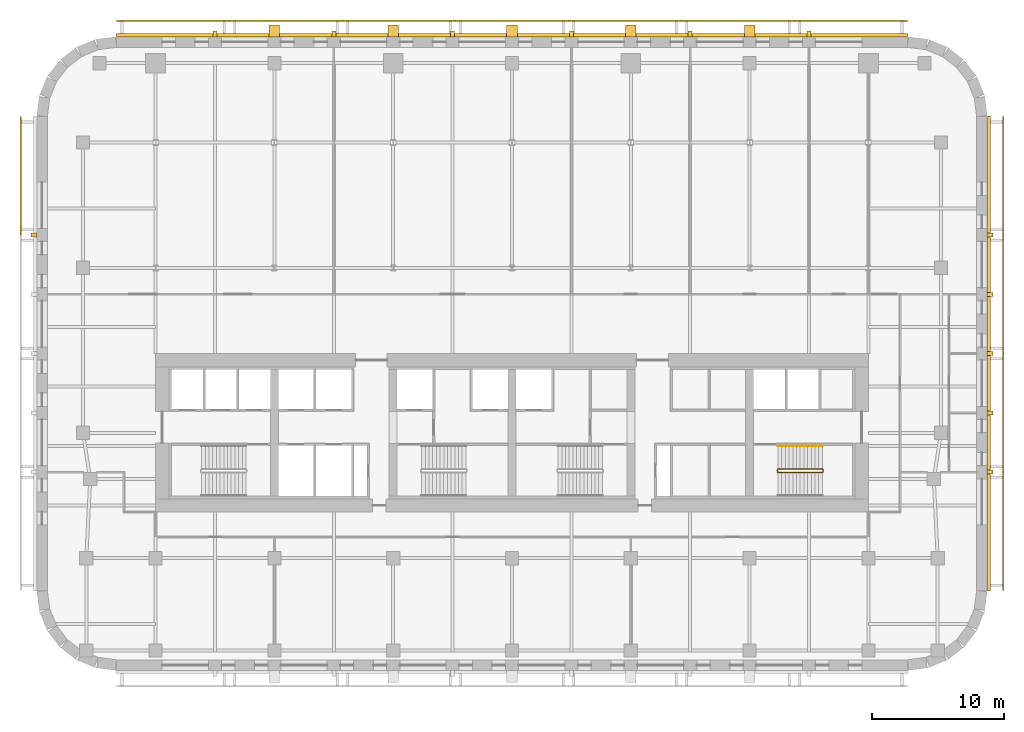
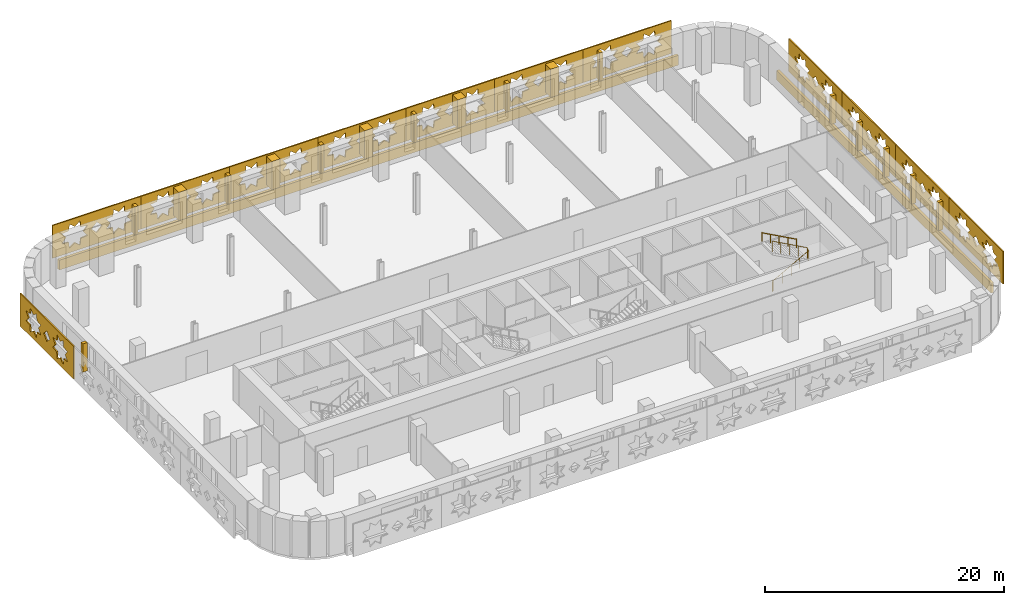
# One storey, part 10 of 10: 31 coverings, 2 railings.
"""IFC4 building model written with IfcOpenShell, lengths in metres."""

from ifc_helpers import new_model, si_unit, direction, frame, origin, origin_2d, place, context, subcontext, project, spatial, polyline, circle, outline, extrude, material, layer, layer_set, type_object, element, save


model = new_model("IFC4")

# Units and contexts
model_context = context("Model", 3, precision=1e-05, world=origin(), true_north=direction((0.0, 1.0)))
body_context = subcontext(model_context, "Body", "Model", "MODEL_VIEW")
ifc_project = project(units=[si_unit("LENGTHUNIT", "METRE"), si_unit("AREAUNIT", "SQUARE_METRE"), si_unit("VOLUMEUNIT", "CUBIC_METRE"), si_unit("PLANEANGLEUNIT", "RADIAN"), si_unit("MASSUNIT", "GRAM", prefix="KILO")], contexts=[model_context])

# Site, building, storey
site_placement = place(None, origin())
site = spatial("IfcSite", under=ifc_project, at=site_placement, CompositionType="ELEMENT")
building_placement = place(site_placement, origin())
building = spatial("IfcBuilding", under=site, at=building_placement, Name="Zellij Exchange Tower", CompositionType="ELEMENT")
storey_placement = place(building_placement, frame((0.0, 0.0, 152.5)))
storey = spatial("IfcBuildingStorey", under=building, at=storey_placement, Name="L34", CompositionType="ELEMENT", Elevation=152.5)

# Railings
ifc_material_1 = material(Name="Stainless steel", Category="steel")
railing_type_1 = type_object("IfcRailingType", Name="CORE-RG stair guard", PredefinedType="GUARDRAIL", material=ifc_material_1)
railing_1_placement = place(storey_placement, frame((20.10009765625, -10.949951171875, 0.0)))
element("IfcRailing", 1, at=railing_1_placement, inside=storey, type_object=railing_type_1, Name="ST4 stair guard L34", PredefinedType="GUARDRAIL", context=body_context, shape_type="SweptSolid", body=[
    extrude(circle(Radius=0.02392578125, at=origin_2d()), frame((0.0, 0.0, 1.076171875), z_axis=(0.0, 1.0, 0.0), x_axis=(-1.0, 0.0, 0.0)), (0.0, 0.0, 1.0), 0.14990234375),
    extrude(circle(Radius=0.02392578125, at=origin_2d()), frame((0.0, 0.14990234375, 1.076171875), z_axis=(0.193691321961, -0.777613689637, 0.598164376644), x_axis=(0.970351222016, 0.241699205484, 0.0)), (0.0, 0.0, 1.0), 0.257080078125),
    extrude(circle(Radius=0.02392578125, at=origin_2d()), frame((0.0498046875, -0.050048828125, 1.22998046875), z_axis=(0.876421534553, 0.0, 0.481544695509), x_axis=(0.0, 1.0, 0.0)), (0.0, 0.0, 1.0), 3.833984375),
    extrude(circle(Radius=0.02392578125, at=origin_2d()), frame((3.409912109375, -0.050048828125, 3.076171875), z_axis=(0.707106781187, 0.707106781187, 0.0), x_axis=(-0.707106781187, 0.707106781187, 0.0)), (0.0, 0.0, 1.0), 0.07080078125),
    extrude(circle(Radius=0.02392578125, at=origin_2d()), frame((3.4599609375, 0.0, 3.076171875), z_axis=(0.0, 1.0, 0.0), x_axis=(-1.0, 0.0, 0.0)), (0.0, 0.0, 1.0), 0.14990234375),
    extrude(circle(Radius=0.02392578125, at=origin_2d()), frame((3.4599609375, 0.14990234375, 3.076171875), z_axis=(-0.295599637079, 0.295599637079, 0.908428152975), x_axis=(-0.707106781187, -0.707106781187, 0.0)), (0.0, 0.0, 1.0), 0.16943359375),
    extrude(circle(Radius=0.02392578125, at=origin_2d()), frame((3.409912109375, 0.199951171875, 3.22998046875), z_axis=(-0.876421534553, 0.0, 0.481544695509), x_axis=(0.0, -1.0, 0.0)), (0.0, 0.0, 1.0), 3.833984375),
    extrude(circle(Radius=0.02099609375, at=origin_2d()), origin(), (0.0, 0.0, 1.0), 1.052001953125),
    extrude(circle(Radius=0.02099609375, at=origin_2d()), frame((0.0, 0.14990234375, 0.0)), (0.0, 0.0, 1.0), 1.052001953125),
    extrude(circle(Radius=0.02099609375, at=origin_2d()), frame((0.0498046875, -0.050048828125, 0.15380859375)), (0.0, 0.0, 1.0), 1.052001953125),
    extrude(circle(Radius=0.02099609375, at=origin_2d()), frame((0.889892578125, -0.050048828125, 0.615234375)), (0.0, 0.0, 1.0), 1.052001953125),
    extrude(circle(Radius=0.02099609375, at=origin_2d()), frame((1.72998046875, -0.050048828125, 1.076904296875)), (0.0, 0.0, 1.0), 1.052001953125),
    extrude(circle(Radius=0.02099609375, at=origin_2d()), frame((2.56982421875, -0.050048828125, 1.53857421875)), (0.0, 0.0, 1.0), 1.052001953125),
    extrude(circle(Radius=0.02099609375, at=origin_2d()), frame((3.409912109375, -0.050048828125, 2.0)), (0.0, 0.0, 1.0), 1.052001953125),
    extrude(circle(Radius=0.02099609375, at=origin_2d()), frame((3.4599609375, 0.0, 2.0)), (0.0, 0.0, 1.0), 1.052001953125),
    extrude(circle(Radius=0.02099609375, at=origin_2d()), frame((3.4599609375, 0.14990234375, 2.0)), (0.0, 0.0, 1.0), 1.052001953125),
    extrude(circle(Radius=0.02099609375, at=origin_2d()), frame((3.409912109375, 0.199951171875, 2.15380859375)), (0.0, 0.0, 1.0), 1.052001953125),
    extrude(circle(Radius=0.02099609375, at=origin_2d()), frame((2.56982421875, 0.199951171875, 2.615234375)), (0.0, 0.0, 1.0), 1.052001953125),
    extrude(circle(Radius=0.02099609375, at=origin_2d()), frame((1.72998046875, 0.199951171875, 3.076904296875)), (0.0, 0.0, 1.0), 1.052001953125),
    extrude(circle(Radius=0.02099609375, at=origin_2d()), frame((0.889892578125, 0.199951171875, 3.53857421875)), (0.0, 0.0, 1.0), 1.052001953125),
    extrude(circle(Radius=0.02099609375, at=origin_2d()), frame((0.0498046875, 0.199951171875, 4.0)), (0.0, 0.0, 1.0), 1.052001953125),
])
railing_type_2 = type_object("IfcRailingType", Name="CORE-RH stair handrail", PredefinedType="HANDRAIL", material=ifc_material_1)
railing_2_placement = place(storey_placement, frame((23.510009765625, -9.0, 2.15380859375)))
element("IfcRailing", 2, at=railing_2_placement, inside=storey, type_object=railing_type_2, Name="ST4 stair handrail L34", PredefinedType="HANDRAIL", context=body_context, shape_type="SweptSolid", body=[
    extrude(circle(Radius=0.02392578125, at=origin_2d()), frame((0.0, 0.0, 0.8759765625), z_axis=(-0.876421534553, 0.0, 0.481544695509), x_axis=(0.0, -1.0, 0.0)), (0.0, 0.0, 1.0), 3.833984375),
    extrude(circle(Radius=0.02099609375, at=origin_2d()), origin(), (0.0, 0.0, 1.0), 0.851806640625),
    extrude(circle(Radius=0.02099609375, at=origin_2d()), frame((-0.840087890625, 0.0, 0.46142578125)), (0.0, 0.0, 1.0), 0.851806640625),
    extrude(circle(Radius=0.02099609375, at=origin_2d()), frame((-1.68017578125, 0.0, 0.923095703125)), (0.0, 0.0, 1.0), 0.851806640625),
    extrude(circle(Radius=0.02099609375, at=origin_2d()), frame((-2.52001953125, 0.0, 1.384765625)), (0.0, 0.0, 1.0), 0.851806640625),
    extrude(circle(Radius=0.02099609375, at=origin_2d()), frame((-3.360107421875, 0.0, 1.84619140625)), (0.0, 0.0, 1.0), 0.851806640625),
])

# Coverings
ifc_material_2 = material(Name="Limestone cladding", Category="masonry")
covering_type_1 = type_object("IfcCoveringType", Name="ENV-CV5 Stone pier 800x900", PredefinedType="CLADDING", material=ifc_material_2)
covering_1_placement = place(storey_placement, frame((0.0, 0.0, 0.800048828125)))
element("IfcCovering", 3, at=covering_1_placement, inside=storey, type_object=covering_type_1, Name="Stone pier", PredefinedType="CLADDING", context=body_context, shape_type="SweptSolid", body=[
    extrude(outline(polyline([(18.39990234375, 22.0), (17.60009765625, 22.0), (17.60009765625, 22.89990234375), (18.39990234375, 22.89990234375), (18.39990234375, 22.0)])), origin(), (0.0, 0.0, 1.0), 2.89990234375),
])
covering_2_placement = place(storey_placement, frame((0.0, 0.0, 0.800048828125)))
element("IfcCovering", 4, at=covering_2_placement, inside=storey, type_object=covering_type_1, Name="Stone pier", PredefinedType="CLADDING", context=body_context, shape_type="SweptSolid", body=[
    extrude(outline(polyline([(9.39990234375, 22.0), (8.60009765625, 22.0), (8.60009765625, 22.89990234375), (9.39990234375, 22.89990234375), (9.39990234375, 22.0)])), origin(), (0.0, 0.0, 1.0), 2.89990234375),
])
covering_3_placement = place(storey_placement, frame((0.0, 0.0, 0.800048828125)))
element("IfcCovering", 5, at=covering_3_placement, inside=storey, type_object=covering_type_1, Name="Stone pier", PredefinedType="CLADDING", context=body_context, shape_type="SweptSolid", body=[
    extrude(outline(polyline([(0.39990234375, 22.0), (-0.39990234375, 22.0), (-0.39990234375, 22.89990234375), (0.39990234375, 22.89990234375), (0.39990234375, 22.0)])), origin(), (0.0, 0.0, 1.0), 2.89990234375),
])
covering_4_placement = place(storey_placement, frame((0.0, 0.0, 0.800048828125)))
element("IfcCovering", 6, at=covering_4_placement, inside=storey, type_object=covering_type_1, Name="Stone pier", PredefinedType="CLADDING", context=body_context, shape_type="SweptSolid", body=[
    extrude(outline(polyline([(-8.60009765625, 22.0), (-9.39990234375, 22.0), (-9.39990234375, 22.89990234375), (-8.60009765625, 22.89990234375), (-8.60009765625, 22.0)])), origin(), (0.0, 0.0, 1.0), 2.89990234375),
])
covering_5_placement = place(storey_placement, frame((0.0, 0.0, 0.800048828125)))
element("IfcCovering", 7, at=covering_5_placement, inside=storey, type_object=covering_type_1, Name="Stone pier", PredefinedType="CLADDING", context=body_context, shape_type="SweptSolid", body=[
    extrude(outline(polyline([(-17.60009765625, 22.0), (-18.39990234375, 22.0), (-18.39990234375, 22.89990234375), (-17.60009765625, 22.89990234375), (-17.60009765625, 22.0)])), origin(), (0.0, 0.0, 1.0), 2.89990234375),
])
covering_type_2 = type_object("IfcCoveringType", Name="ENV-CV7 Stone pier 300x450", PredefinedType="CLADDING", material=ifc_material_2)
covering_6_placement = place(storey_placement, frame((0.0, 0.0, 0.800048828125)))
element("IfcCovering", 8, at=covering_6_placement, inside=storey, type_object=covering_type_2, Name="Stone pier", PredefinedType="CLADDING", context=body_context, shape_type="SweptSolid", body=[
    extrude(outline(polyline([(36.0, -11.136962890625), (36.0, -10.8369140625), (36.449951171875, -10.8369140625), (36.449951171875, -11.136962890625), (36.0, -11.136962890625)])), origin(), (0.0, 0.0, 1.0), 2.89990234375),
])
covering_7_placement = place(storey_placement, frame((0.0, 0.0, 0.800048828125)))
element("IfcCovering", 9, at=covering_7_placement, inside=storey, type_object=covering_type_2, Name="Stone pier", PredefinedType="CLADDING", context=body_context, shape_type="SweptSolid", body=[
    extrude(outline(polyline([(36.0, -6.6435546875), (36.0, -6.343505859375), (36.449951171875, -6.343505859375), (36.449951171875, -6.6435546875), (36.0, -6.6435546875)])), origin(), (0.0, 0.0, 1.0), 2.89990234375),
])
covering_8_placement = place(storey_placement, frame((0.0, 0.0, 0.800048828125)))
element("IfcCovering", 10, at=covering_8_placement, inside=storey, type_object=covering_type_2, Name="Stone pier", PredefinedType="CLADDING", context=body_context, shape_type="SweptSolid", body=[
    extrude(outline(polyline([(36.0, -2.14990234375), (36.0, -1.85009765625), (36.449951171875, -1.85009765625), (36.449951171875, -2.14990234375), (36.0, -2.14990234375)])), origin(), (0.0, 0.0, 1.0), 2.89990234375),
])
covering_9_placement = place(storey_placement, frame((0.0, 0.0, 0.800048828125)))
element("IfcCovering", 11, at=covering_9_placement, inside=storey, type_object=covering_type_2, Name="Stone pier", PredefinedType="CLADDING", context=body_context, shape_type="SweptSolid", body=[
    extrude(outline(polyline([(36.0, 2.343505859375), (36.0, 2.643310546875), (36.449951171875, 2.643310546875), (36.449951171875, 2.343505859375), (36.0, 2.343505859375)])), origin(), (0.0, 0.0, 1.0), 2.89990234375),
])
covering_10_placement = place(storey_placement, frame((0.0, 0.0, 0.800048828125)))
element("IfcCovering", 12, at=covering_10_placement, inside=storey, type_object=covering_type_2, Name="Stone pier", PredefinedType="CLADDING", context=body_context, shape_type="SweptSolid", body=[
    extrude(outline(polyline([(36.0, 6.8369140625), (36.0, 7.136962890625), (36.449951171875, 7.136962890625), (36.449951171875, 6.8369140625), (36.0, 6.8369140625)])), origin(), (0.0, 0.0, 1.0), 2.89990234375),
])
covering_11_placement = place(storey_placement, frame((0.0, 0.0, 0.800048828125)))
element("IfcCovering", 13, at=covering_11_placement, inside=storey, type_object=covering_type_2, Name="Stone pier", PredefinedType="CLADDING", context=body_context, shape_type="SweptSolid", body=[
    extrude(outline(polyline([(22.64990234375, 22.0), (22.35009765625, 22.0), (22.35009765625, 22.449951171875), (22.64990234375, 22.449951171875), (22.64990234375, 22.0)])), origin(), (0.0, 0.0, 1.0), 2.89990234375),
])
covering_12_placement = place(storey_placement, frame((0.0, 0.0, 0.800048828125)))
element("IfcCovering", 14, at=covering_12_placement, inside=storey, type_object=covering_type_2, Name="Stone pier", PredefinedType="CLADDING", context=body_context, shape_type="SweptSolid", body=[
    extrude(outline(polyline([(13.64990234375, 22.0), (13.35009765625, 22.0), (13.35009765625, 22.449951171875), (13.64990234375, 22.449951171875), (13.64990234375, 22.0)])), origin(), (0.0, 0.0, 1.0), 2.89990234375),
])
covering_13_placement = place(storey_placement, frame((0.0, 0.0, 0.800048828125)))
element("IfcCovering", 15, at=covering_13_placement, inside=storey, type_object=covering_type_2, Name="Stone pier", PredefinedType="CLADDING", context=body_context, shape_type="SweptSolid", body=[
    extrude(outline(polyline([(4.64990234375, 22.0), (4.35009765625, 22.0), (4.35009765625, 22.449951171875), (4.64990234375, 22.449951171875), (4.64990234375, 22.0)])), origin(), (0.0, 0.0, 1.0), 2.89990234375),
])
covering_14_placement = place(storey_placement, frame((0.0, 0.0, 0.800048828125)))
element("IfcCovering", 16, at=covering_14_placement, inside=storey, type_object=covering_type_2, Name="Stone pier", PredefinedType="CLADDING", context=body_context, shape_type="SweptSolid", body=[
    extrude(outline(polyline([(-4.35009765625, 22.0), (-4.64990234375, 22.0), (-4.64990234375, 22.449951171875), (-4.35009765625, 22.449951171875), (-4.35009765625, 22.0)])), origin(), (0.0, 0.0, 1.0), 2.89990234375),
])
covering_15_placement = place(storey_placement, frame((0.0, 0.0, 0.800048828125)))
element("IfcCovering", 17, at=covering_15_placement, inside=storey, type_object=covering_type_2, Name="Stone pier", PredefinedType="CLADDING", context=body_context, shape_type="SweptSolid", body=[
    extrude(outline(polyline([(-13.35009765625, 22.0), (-13.64990234375, 22.0), (-13.64990234375, 22.449951171875), (-13.35009765625, 22.449951171875), (-13.35009765625, 22.0)])), origin(), (0.0, 0.0, 1.0), 2.89990234375),
])
covering_16_placement = place(storey_placement, frame((0.0, 0.0, 0.800048828125)))
element("IfcCovering", 18, at=covering_16_placement, inside=storey, type_object=covering_type_2, Name="Stone pier", PredefinedType="CLADDING", context=body_context, shape_type="SweptSolid", body=[
    extrude(outline(polyline([(-22.35009765625, 22.0), (-22.64990234375, 22.0), (-22.64990234375, 22.449951171875), (-22.35009765625, 22.449951171875), (-22.35009765625, 22.0)])), origin(), (0.0, 0.0, 1.0), 2.89990234375),
])
covering_17_placement = place(storey_placement, frame((0.0, 0.0, 0.800048828125)))
element("IfcCovering", 19, at=covering_17_placement, inside=storey, type_object=covering_type_2, Name="Stone pier", PredefinedType="CLADDING", context=body_context, shape_type="SweptSolid", body=[
    extrude(outline(polyline([(-36.0, 7.136962890625), (-36.0, 6.8369140625), (-36.449951171875, 6.8369140625), (-36.449951171875, 7.136962890625), (-36.0, 7.136962890625)])), origin(), (0.0, 0.0, 1.0), 2.89990234375),
])
ifc_layer_1 = layer(ifc_material_2, 0.25)
ifc_layer_set_1 = layer_set([ifc_layer_1], Name="Limestone cladding")
covering_type_3 = type_object("IfcCoveringType", Name="ENV-CV8 Stone spandrel band 250", PredefinedType="CLADDING", material=ifc_layer_set_1)
covering_18_placement = place(storey_placement, frame((0.0, 0.0, -0.199951171875)))
element("IfcCovering", 20, at=covering_18_placement, inside=storey, type_object=covering_type_3, Name="Stone spandrel band", PredefinedType="CLADDING", context=body_context, shape_type="SweptSolid", body=[
    extrude(outline(polyline([(36.0, -19.973876953125), (36.0, 15.973876953125), (36.25, 15.990234375), (36.25, -19.990234375), (36.0, -19.973876953125)])), origin(), (0.0, 0.0, 1.0), 1.0),
])
covering_19_placement = place(storey_placement, frame((0.0, 0.0, -0.199951171875)))
element("IfcCovering", 21, at=covering_19_placement, inside=storey, type_object=covering_type_3, Name="Stone spandrel band", PredefinedType="CLADDING", context=body_context, shape_type="SweptSolid", body=[
    extrude(outline(polyline([(29.973876953125, 22.0), (-29.973876953125, 22.0), (-29.990234375, 22.25), (29.990234375, 22.25), (29.973876953125, 22.0)])), origin(), (0.0, 0.0, 1.0), 1.0),
])
ifc_material_3 = material(Name="Limestone screen", Category="masonry")
ifc_layer_2 = layer(ifc_material_3, 0.1201171875)
ifc_layer_set_2 = layer_set([ifc_layer_2], Name="Limestone screen")
covering_type_4 = type_object("IfcCoveringType", Name="ENV-SC1 Pierced stone screen 120", PredefinedType="USERDEFINED", material=ifc_layer_set_2)
covering_20_placement = place(storey_placement, frame((-37.2099609375, 15.947509765625, 0.300048828125), z_axis=(0.0, 0.0, 1.0), x_axis=(0.0, -1.0, 0.0)))
element("IfcCovering", 22, at=covering_20_placement, inside=storey, type_object=covering_type_4, Name="Pierced stone screen", ObjectType="SCREEN", PredefinedType="USERDEFINED", context=body_context, shape_type="SweptSolid", body=[
    extrude(outline(polyline([(0.0, 0.0), (8.973876953125, 0.0), (8.973876953125, 3.35009765625), (0.0, 3.35009765625), (0.0, 0.0)]), holes=[polyline([(3.4814453125, 2.187744140625), (2.830810546875, 2.262451171875), (2.756103515625, 2.9130859375), (2.243408203125, 2.505859375), (1.730712890625, 2.9130859375), (1.656005859375, 2.262451171875), (1.00537109375, 2.187744140625), (1.41259765625, 1.675048828125), (1.00537109375, 1.162109375), (1.656005859375, 1.08740234375), (1.730712890625, 0.43701171875), (2.243408203125, 0.84423828125), (2.756103515625, 0.43701171875), (2.830810546875, 1.08740234375), (3.4814453125, 1.162109375), (3.07421875, 1.675048828125), (3.4814453125, 2.187744140625)]), polyline([(7.96826171875, 2.187744140625), (7.31787109375, 2.262451171875), (7.2431640625, 2.9130859375), (6.730224609375, 2.505859375), (6.217529296875, 2.9130859375), (6.142822265625, 2.262451171875), (5.4921875, 2.187744140625), (5.8994140625, 1.675048828125), (5.4921875, 1.162109375), (6.142822265625, 1.08740234375), (6.217529296875, 0.43701171875), (6.730224609375, 0.84423828125), (7.2431640625, 0.43701171875), (7.31787109375, 1.08740234375), (7.96826171875, 1.162109375), (7.56103515625, 1.675048828125), (7.96826171875, 2.187744140625)]), polyline([(5.02294921875, 1.675048828125), (4.48681640625, 2.2109375), (3.950927734375, 1.675048828125), (4.48681640625, 1.138916015625), (5.02294921875, 1.675048828125)])]), frame((0.0, 0.06005859375, 0.0), z_axis=(0.0, -1.0, 0.0), x_axis=(1.0, 0.0, 0.0)), (0.0, 0.0, 1.0), 0.1201171875),
])
for number, where, z_axis, x_axis, name in (
    (23, (29.947509765625, 23.2099609375, 0.300048828125), (0.0, 0.0, 1.0), (-1.0, 0.0, 0.0), "Pierced stone screen"),
    (24, (21.39111328125, 23.2099609375, 0.300048828125), (0.0, 0.0, 1.0), (-1.0, 0.0, 0.0), "Pierced stone screen"),
    (25, (12.834716796875, 23.2099609375, 0.300048828125), (0.0, 0.0, 1.0), (-1.0, 0.0, 0.0), "Pierced stone screen"),
    (26, (4.2783203125, 23.2099609375, 0.300048828125), (0.0, 0.0, 1.0), (-1.0, 0.0, 0.0), "Pierced stone screen"),
    (27, (-4.2783203125, 23.2099609375, 0.300048828125), (0.0, 0.0, 1.0), (-1.0, 0.0, 0.0), "Pierced stone screen"),
    (28, (-12.834716796875, 23.2099609375, 0.300048828125), (0.0, 0.0, 1.0), (-1.0, 0.0, 0.0), "Pierced stone screen"),
    (29, (-21.39111328125, 23.2099609375, 0.300048828125), (0.0, 0.0, 1.0), (-1.0, 0.0, 0.0), "Pierced stone screen"),
):
    element("IfcCovering", number, at=place(storey_placement, frame(where, z_axis=z_axis, x_axis=x_axis)), inside=storey, type_object=covering_type_4, Name=name, ObjectType="SCREEN", PredefinedType="USERDEFINED", context=body_context, shape_type="SweptSolid", body=[
        extrude(outline(polyline([(0.0, 0.0), (8.556396484375, 0.0), (8.556396484375, 3.35009765625), (0.0, 3.35009765625), (0.0, 0.0)]), holes=[polyline([(3.377197265625, 2.187744140625), (2.7265625, 2.262451171875), (2.65185546875, 2.9130859375), (2.13916015625, 2.505859375), (1.626220703125, 2.9130859375), (1.551513671875, 2.262451171875), (0.901123046875, 2.187744140625), (1.308349609375, 1.675048828125), (0.901123046875, 1.162109375), (1.551513671875, 1.08740234375), (1.626220703125, 0.43701171875), (2.13916015625, 0.84423828125), (2.65185546875, 0.43701171875), (2.7265625, 1.08740234375), (3.377197265625, 1.162109375), (2.969970703125, 1.675048828125), (3.377197265625, 2.187744140625)]), polyline([(7.6552734375, 2.187744140625), (7.0048828125, 2.262451171875), (6.93017578125, 2.9130859375), (6.417236328125, 2.505859375), (5.904541015625, 2.9130859375), (5.829833984375, 2.262451171875), (5.17919921875, 2.187744140625), (5.58642578125, 1.675048828125), (5.17919921875, 1.162109375), (5.829833984375, 1.08740234375), (5.904541015625, 0.43701171875), (6.417236328125, 0.84423828125), (6.93017578125, 0.43701171875), (7.0048828125, 1.08740234375), (7.6552734375, 1.162109375), (7.248046875, 1.675048828125), (7.6552734375, 2.187744140625)]), polyline([(4.814208984375, 1.675048828125), (4.2783203125, 2.2109375), (3.7421875, 1.675048828125), (4.2783203125, 1.138916015625), (4.814208984375, 1.675048828125)])]), frame((0.0, 0.06005859375, 0.0), z_axis=(0.0, -1.0, 0.0), x_axis=(1.0, 0.0, 0.0)), (0.0, 0.0, 1.0), 0.1201171875),
    ])
for number, where, z_axis, x_axis, name in (
    (30, (37.2099609375, -19.947509765625, 0.300048828125), (0.0, 0.0, 1.0), (0.0, 1.0, 0.0), "Pierced stone screen"),
    (31, (37.2099609375, -10.973876953125, 0.300048828125), (0.0, 0.0, 1.0), (0.0, 1.0, 0.0), "Pierced stone screen"),
    (32, (37.2099609375, -2.0, 0.300048828125), (0.0, 0.0, 1.0), (0.0, 1.0, 0.0), "Pierced stone screen"),
    (33, (37.2099609375, 6.973876953125, 0.300048828125), (0.0, 0.0, 1.0), (0.0, 1.0, 0.0), "Pierced stone screen"),
):
    element("IfcCovering", number, at=place(storey_placement, frame(where, z_axis=z_axis, x_axis=x_axis)), inside=storey, type_object=covering_type_4, Name=name, ObjectType="SCREEN", PredefinedType="USERDEFINED", context=body_context, shape_type="SweptSolid", body=[
        extrude(outline(polyline([(0.0, 0.0), (8.973876953125, 0.0), (8.973876953125, 3.35009765625), (0.0, 3.35009765625), (0.0, 0.0)]), holes=[polyline([(3.4814453125, 2.187744140625), (2.830810546875, 2.262451171875), (2.756103515625, 2.9130859375), (2.243408203125, 2.505859375), (1.730712890625, 2.9130859375), (1.656005859375, 2.262451171875), (1.00537109375, 2.187744140625), (1.41259765625, 1.675048828125), (1.00537109375, 1.162109375), (1.656005859375, 1.08740234375), (1.730712890625, 0.43701171875), (2.243408203125, 0.84423828125), (2.756103515625, 0.43701171875), (2.830810546875, 1.08740234375), (3.4814453125, 1.162109375), (3.07421875, 1.675048828125), (3.4814453125, 2.187744140625)]), polyline([(7.96826171875, 2.187744140625), (7.31787109375, 2.262451171875), (7.2431640625, 2.9130859375), (6.730224609375, 2.505859375), (6.217529296875, 2.9130859375), (6.142822265625, 2.262451171875), (5.4921875, 2.187744140625), (5.8994140625, 1.675048828125), (5.4921875, 1.162109375), (6.142822265625, 1.08740234375), (6.217529296875, 0.43701171875), (6.730224609375, 0.84423828125), (7.2431640625, 0.43701171875), (7.31787109375, 1.08740234375), (7.96826171875, 1.162109375), (7.56103515625, 1.675048828125), (7.96826171875, 2.187744140625)]), polyline([(5.02294921875, 1.675048828125), (4.48681640625, 2.2109375), (3.950927734375, 1.675048828125), (4.48681640625, 1.138916015625), (5.02294921875, 1.675048828125)])]), frame((0.0, 0.06005859375, 0.0), z_axis=(0.0, -1.0, 0.0), x_axis=(1.0, 0.0, 0.0)), (0.0, 0.0, 1.0), 0.1201171875),
    ])

save(model, "model.ifc")
